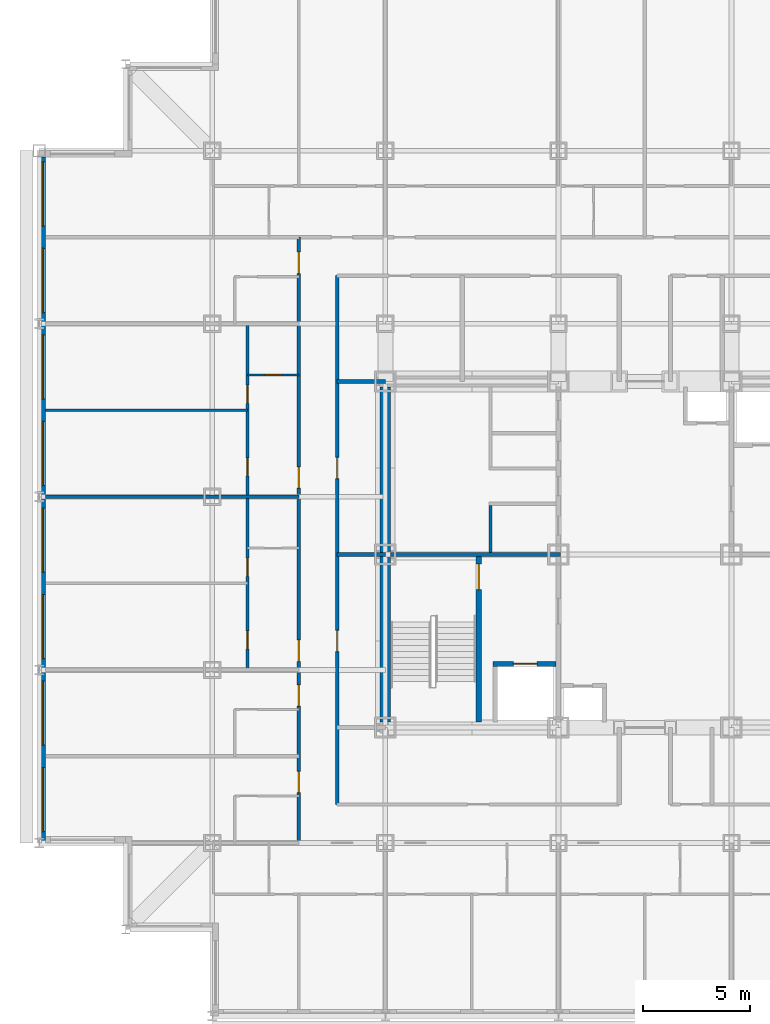
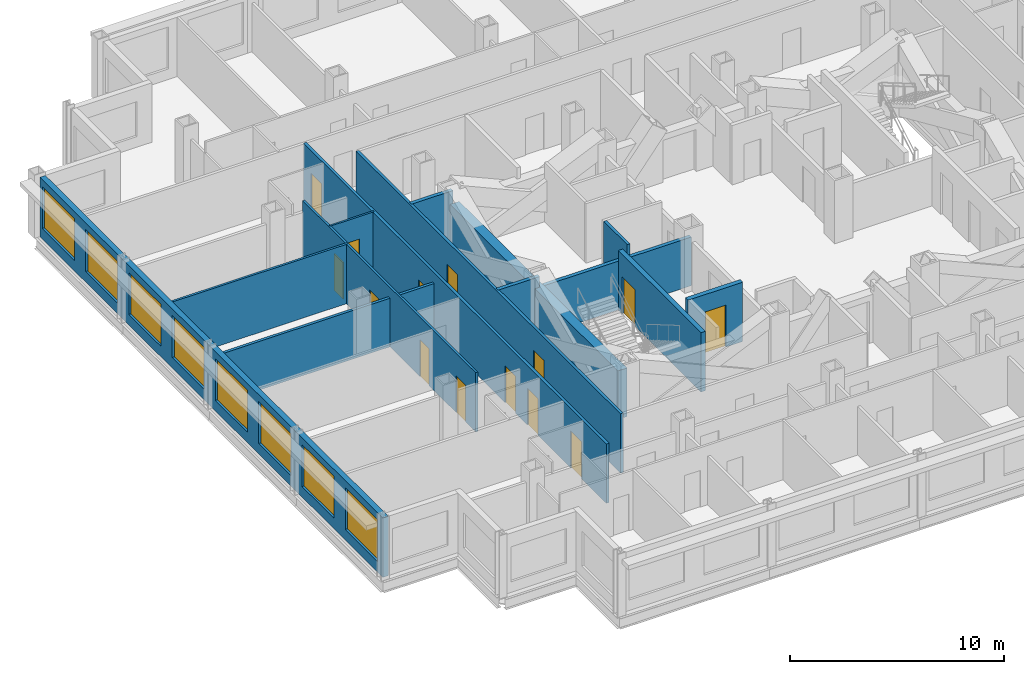
# One storey, part 6 of 12: 14 doors, 14 walls, 8 windows, 22 openings.
"""IFC4 building model written with IfcOpenShell, lengths in metres."""

from ifc_helpers import new_model, si_unit, direction, frame, frame_2d, origin, place, context, subcontext, project, spatial, rectangle, extrude, material, layer, layer_set, type_object, element, fill, save


model = new_model("IFC4")

# Units and contexts
model_context = context("Model", 3, precision=1e-05, world=origin(), true_north=direction((0.0, 1.0)))
body_context = subcontext(model_context, "Body", "Model", "MODEL_VIEW")
ifc_project = project(units=[si_unit("LENGTHUNIT", "METRE"), si_unit("AREAUNIT", "SQUARE_METRE"), si_unit("VOLUMEUNIT", "CUBIC_METRE"), si_unit("PLANEANGLEUNIT", "RADIAN"), si_unit("MASSUNIT", "GRAM", prefix="KILO")], contexts=[model_context])

# Site, building, storey
site_placement = place(None, origin())
site = spatial("IfcSite", under=ifc_project, at=site_placement, CompositionType="ELEMENT")
building_placement = place(site_placement, origin())
building = spatial("IfcBuilding", under=site, at=building_placement, Name="Kopane Lantern Tower", CompositionType="ELEMENT")
storey_placement = place(building_placement, frame((0.0, 0.0, 188.39990234375)))
storey = spatial("IfcBuildingStorey", under=building, at=storey_placement, Name="L48", CompositionType="ELEMENT", Elevation=188.39990234375)

# Wall, openings, doors
ifc_material_1 = material(Name="Gypsum board on steel studs", Category="steel")
ifc_layer_1 = layer(ifc_material_1, 0.1201171875)
ifc_layer_set_1 = layer_set([ifc_layer_1], Name="APARTMENT INTERNAL WALL 120")
wall_type_1 = type_object("IfcWallType", Name="APARTMENT INTERNAL WALL 120", PredefinedType="PARTITIONING", material=ifc_layer_set_1)
wall_1_placement = place(storey_placement, frame((9.75, 27.0, 0.0), z_axis=(0.0, 0.0, 1.0), x_axis=(0.0, 1.0, 0.0)))
wall_1 = element("IfcWall", 1, at=wall_1_placement, inside=storey, type_object=wall_type_1, Name="Apartment Internal Wall 120 L48", PredefinedType="PARTITIONING", context=body_context, shape_type="SweptSolid", body=[
    extrude(rectangle(XDim=16.199951171875, YDim=0.1201171875, at=frame_2d((8.10009765625, 0.0))), origin(), (0.0, 0.0, 1.0), 3.39013671875),
])
opening_1_placement = place(wall_1_placement, frame((0.97509765625, 0.0, 0.0)))
opening_1 = element("IfcOpeningElement", 2, at=opening_1_placement, cuts=wall_1, Name="Opening L48-038", PredefinedType="OPENING", context=body_context, shape_type="SweptSolid", body=[
    extrude(rectangle(XDim=0.85009765625, YDim=2.10009765625, at=frame_2d((0.425048828125, 1.050048828125))), frame((0.0, 0.070068359375, 0.0), z_axis=(0.0, -1.0, 0.0), x_axis=(1.0, 0.0, 0.0)), (0.0, 0.0, 1.0), 0.14013671875),
])
opening_2_placement = place(wall_1_placement, frame((4.375, 0.0, 0.0)))
opening_2 = element("IfcOpeningElement", 3, at=opening_2_placement, cuts=wall_1, Name="Opening L48-039", PredefinedType="OPENING", context=body_context, shape_type="SweptSolid", body=[
    extrude(rectangle(XDim=0.85009765625, YDim=2.10009765625, at=frame_2d((0.425048828125, 1.050048828125))), frame((0.0, 0.070068359375, 0.0), z_axis=(0.0, -1.0, 0.0), x_axis=(1.0, 0.0, 0.0)), (0.0, 0.0, 1.0), 0.14013671875),
])
opening_3_placement = place(wall_1_placement, frame((9.074951171875, 0.0, 0.0)))
opening_3 = element("IfcOpeningElement", 4, at=opening_3_placement, cuts=wall_1, Name="Opening L48-042", PredefinedType="OPENING", context=body_context, shape_type="SweptSolid", body=[
    extrude(rectangle(XDim=0.85009765625, YDim=2.10009765625, at=frame_2d((0.425048828125, 1.050048828125))), frame((0.0, 0.070068359375, 0.0), z_axis=(0.0, -1.0, 0.0), x_axis=(1.0, 0.0, 0.0)), (0.0, 0.0, 1.0), 0.14013671875),
])
opening_4_placement = place(wall_1_placement, frame((12.47509765625, 0.0, 0.0)))
opening_4 = element("IfcOpeningElement", 5, at=opening_4_placement, cuts=wall_1, Name="Opening L48-043", PredefinedType="OPENING", context=body_context, shape_type="SweptSolid", body=[
    extrude(rectangle(XDim=0.85009765625, YDim=2.10009765625, at=frame_2d((0.425048828125, 1.050048828125))), frame((0.0, 0.070068359375, 0.0), z_axis=(0.0, -1.0, 0.0), x_axis=(1.0, 0.0, 0.0)), (0.0, 0.0, 1.0), 0.14013671875),
])
ifc_material_2 = material(Name="Timber door set", Category="wood")
door_type_1 = type_object("IfcDoorType", Name="DOOR D4 850x2100", OperationType="SINGLE_SWING_LEFT", PredefinedType="DOOR", material=ifc_material_2)
door_1_placement = place(opening_1_placement, origin())
door_1 = element("IfcDoor", 6, at=door_1_placement, inside=storey, type_object=door_type_1, Name="Door L48-038", OperationType="SINGLE_SWING_RIGHT", OverallHeight=2.10009765625, OverallWidth=0.85009765625, PredefinedType="DOOR", context=body_context, shape_type="SweptSolid", body=[
    extrude(rectangle(XDim=0.85009765625, YDim=2.10009765625, at=frame_2d((0.425048828125, 1.050048828125))), frame((0.0, 0.02490234375, 0.0), z_axis=(0.0, -1.0, 0.0), x_axis=(1.0, 0.0, 0.0)), (0.0, 0.0, 1.0), 0.050048828125),
])
fill(opening_1, door_1)
door_2_placement = place(opening_2_placement, origin())
door_2 = element("IfcDoor", 7, at=door_2_placement, inside=storey, type_object=door_type_1, Name="Door L48-039", OperationType="SINGLE_SWING_LEFT", OverallHeight=2.10009765625, OverallWidth=0.85009765625, PredefinedType="DOOR", context=body_context, shape_type="SweptSolid", body=[
    extrude(rectangle(XDim=0.85009765625, YDim=2.10009765625, at=frame_2d((0.425048828125, 1.050048828125))), frame((0.0, 0.02490234375, 0.0), z_axis=(0.0, -1.0, 0.0), x_axis=(1.0, 0.0, 0.0)), (0.0, 0.0, 1.0), 0.050048828125),
])
fill(opening_2, door_2)
door_3_placement = place(opening_3_placement, origin())
door_3 = element("IfcDoor", 8, at=door_3_placement, inside=storey, type_object=door_type_1, Name="Door L48-042", OperationType="SINGLE_SWING_RIGHT", OverallHeight=2.10009765625, OverallWidth=0.85009765625, PredefinedType="DOOR", context=body_context, shape_type="SweptSolid", body=[
    extrude(rectangle(XDim=0.85009765625, YDim=2.10009765625, at=frame_2d((0.425048828125, 1.050048828125))), frame((0.0, 0.02490234375, 0.0), z_axis=(0.0, -1.0, 0.0), x_axis=(1.0, 0.0, 0.0)), (0.0, 0.0, 1.0), 0.050048828125),
])
fill(opening_3, door_3)
door_4_placement = place(opening_4_placement, origin())
door_4 = element("IfcDoor", 9, at=door_4_placement, inside=storey, type_object=door_type_1, Name="Door L48-043", OperationType="SINGLE_SWING_LEFT", OverallHeight=2.10009765625, OverallWidth=0.85009765625, PredefinedType="DOOR", context=body_context, shape_type="SweptSolid", body=[
    extrude(rectangle(XDim=0.85009765625, YDim=2.10009765625, at=frame_2d((0.425048828125, 1.050048828125))), frame((0.0, 0.02490234375, 0.0), z_axis=(0.0, -1.0, 0.0), x_axis=(1.0, 0.0, 0.0)), (0.0, 0.0, 1.0), 0.050048828125),
])
fill(opening_4, door_4)

# Wall
wall_2_placement = place(storey_placement, frame((9.75, 39.14990234375, 0.0), z_axis=(0.0, 0.0, 1.0), x_axis=(-1.0, 0.0, 0.0)))
element("IfcWall", 10, at=wall_2_placement, inside=storey, type_object=wall_type_1, Name="Apartment Internal Wall 120 L48", PredefinedType="PARTITIONING", context=body_context, shape_type="SweptSolid", body=[
    extrude(rectangle(XDim=9.449951171875, YDim=0.1201171875, at=frame_2d((4.72509765625, 0.0))), origin(), (0.0, 0.0, 1.0), 3.39013671875),
])

# Wall, opening, door
ifc_material_3 = material(Name="Moisture-resistant board on steel studs", Category="steel")
ifc_layer_2 = layer(ifc_material_3, 0.10009765625)
ifc_layer_set_2 = layer_set([ifc_layer_2], Name="BATHROOM WALL 100")
wall_type_2 = type_object("IfcWallType", Name="BATHROOM WALL 100", PredefinedType="PARTITIONING", material=ifc_layer_set_2)
wall_3_placement = place(storey_placement, frame((12.14990234375, 40.800048828125, 0.0), z_axis=(0.0, 0.0, 1.0), x_axis=(-1.0, 0.0, 0.0)))
wall_3 = element("IfcWall", 11, at=wall_3_placement, inside=storey, type_object=wall_type_2, Name="Bathroom Wall 100 L48", PredefinedType="PARTITIONING", context=body_context, shape_type="SweptSolid", body=[
    extrude(rectangle(XDim=2.39990234375, YDim=0.10009765625, at=frame_2d((1.199951171875, 0.0))), origin(), (0.0, 0.0, 1.0), 3.39013671875),
])
opening_5_placement = place(wall_3_placement, frame((0.800048828125, 0.0, 0.0)))
opening_5 = element("IfcOpeningElement", 12, at=opening_5_placement, cuts=wall_3, Name="Opening L48-040", PredefinedType="OPENING", context=body_context, shape_type="SweptSolid", body=[
    extrude(rectangle(XDim=0.800048828125, YDim=2.10009765625, at=frame_2d((0.39990234375, 1.050048828125))), frame((0.0, 0.06005859375, 0.0), z_axis=(0.0, -1.0, 0.0), x_axis=(1.0, 0.0, 0.0)), (0.0, 0.0, 1.0), 0.1201171875),
])
ifc_material_4 = material(Name="Timber door set", Category="wood")
door_type_2 = type_object("IfcDoorType", Name="DOOR D2 800x2100", OperationType="SINGLE_SWING_LEFT", PredefinedType="DOOR", material=ifc_material_4)
door_5_placement = place(opening_5_placement, origin())
door_5 = element("IfcDoor", 13, at=door_5_placement, inside=storey, type_object=door_type_2, Name="Door L48-040", OperationType="SINGLE_SWING_RIGHT", OverallHeight=2.10009765625, OverallWidth=0.800048828125, PredefinedType="DOOR", context=body_context, shape_type="SweptSolid", body=[
    extrude(rectangle(XDim=0.800048828125, YDim=2.10009765625, at=frame_2d((0.39990234375, 1.050048828125))), frame((0.0, 0.02490234375, 0.0), z_axis=(0.0, -1.0, 0.0), x_axis=(1.0, 0.0, 0.0)), (0.0, 0.0, 1.0), 0.050048828125),
])
fill(opening_5, door_5)

# Walls
ifc_material_5 = material(Name="Gypsum shaft wall EI 120", Category="gypsum")
ifc_layer_3 = layer(ifc_material_5, 0.5)
ifc_layer_set_3 = layer_set([ifc_layer_3], Name="CORE PERIMETER WALL 500 EI 120")
wall_type_3 = type_object("IfcWallType", Name="CORE PERIMETER WALL 500 EI 120", PredefinedType="SOLIDWALL", material=ifc_layer_set_3)
wall_4_placement = place(storey_placement, frame((16.199951171875, 24.550048828125, 0.0), z_axis=(0.0, 0.0, 1.0), x_axis=(0.0, 1.0, 0.0)))
element("IfcWall", 14, at=wall_4_placement, inside=storey, type_object=wall_type_3, Name="Core shaft wall L48 PW", PredefinedType="SOLIDWALL", context=body_context, shape_type="SweptSolid", body=[
    extrude(rectangle(XDim=15.699951171875, YDim=0.5, at=frame_2d((7.85009765625, 0.0))), origin(), (0.0, 0.0, 1.0), 2.77783203125),
])
ifc_material_6 = material(Name="Gypsum partition EI 60", Category="gypsum")
ifc_layer_4 = layer(ifc_material_6, 0.14990234375)
ifc_layer_set_4 = layer_set([ifc_layer_4], Name="CORE ROOM PARTITION 150 EI 60")
wall_type_4 = type_object("IfcWallType", Name="CORE ROOM PARTITION 150 EI 60", PredefinedType="PARTITIONING", material=ifc_layer_set_4)
wall_5_placement = place(storey_placement, frame((21.125, 32.5, 0.0), z_axis=(0.0, 0.0, 1.0), x_axis=(0.0, 1.0, 0.0)))
element("IfcWall", 15, at=wall_5_placement, inside=storey, type_object=wall_type_4, Name="Core room partition L48 WWB0", PredefinedType="PARTITIONING", context=body_context, shape_type="SweptSolid", body=[
    extrude(rectangle(XDim=2.199951171875, YDim=0.14990234375, at=frame_2d((1.10009765625, 0.0))), origin(), (0.0, 0.0, 1.0), 3.39013671875),
])

# Wall, opening, door
ifc_material_7 = material(Name="Gypsum shaft wall EI 120", Category="gypsum")
ifc_layer_5 = layer(ifc_material_7, 0.25)
ifc_layer_set_5 = layer_set([ifc_layer_5], Name="CORE SHAFT WALL 250 EI 120")
wall_type_5 = type_object("IfcWallType", Name="CORE SHAFT WALL 250 EI 120", PredefinedType="SOLIDWALL", material=ifc_layer_set_5)
wall_6_placement = place(storey_placement, frame((20.574951171875, 24.550048828125, 0.0), z_axis=(0.0, 0.0, 1.0), x_axis=(0.0, 1.0, 0.0)))
wall_6 = element("IfcWall", 16, at=wall_6_placement, inside=storey, type_object=wall_type_5, Name="Core shaft wall L48 XST1", PredefinedType="SOLIDWALL", context=body_context, shape_type="SweptSolid", body=[
    extrude(rectangle(XDim=7.75, YDim=0.25, at=frame_2d((3.875, 0.0))), origin(), (0.0, 0.0, 1.0), 3.39013671875),
])
opening_6_placement = place(wall_6_placement, frame((6.199951171875, 0.0, 0.0)))
opening_6 = element("IfcOpeningElement", 17, at=opening_6_placement, cuts=wall_6, Name="Opening 48.SD1", PredefinedType="OPENING", context=body_context, shape_type="SweptSolid", body=[
    extrude(rectangle(XDim=1.199951171875, YDim=2.10009765625, at=frame_2d((0.60009765625, 1.050048828125))), frame((0.0, 0.135009765625, 0.0), z_axis=(0.0, -1.0, 0.0), x_axis=(1.0, 0.0, 0.0)), (0.0, 0.0, 1.0), 0.27001953125),
])
ifc_material_8 = material(Name="Steel door set", Category="steel")
door_type_3 = type_object("IfcDoorType", Name="STAIR DOOR 1200x2100 FD60S", OperationType="SINGLE_SWING_LEFT", PredefinedType="DOOR", material=ifc_material_8)
door_6_placement = place(opening_6_placement, origin())
door_6 = element("IfcDoor", 18, at=door_6_placement, inside=storey, type_object=door_type_3, Name="Stair door ST1 L48", OperationType="SINGLE_SWING_LEFT", OverallHeight=2.10009765625, OverallWidth=1.199951171875, PredefinedType="DOOR", context=body_context, shape_type="SweptSolid", body=[
    extrude(rectangle(XDim=1.199951171875, YDim=2.10009765625, at=frame_2d((0.60009765625, 1.050048828125))), frame((0.0, 0.02490234375, 0.0), z_axis=(0.0, -1.0, 0.0), x_axis=(1.0, 0.0, 0.0)), (0.0, 0.0, 1.0), 0.050048828125),
])
fill(opening_6, door_6)

wall_7_placement = place(storey_placement, frame((21.25, 27.27490234375, 0.0), z_axis=(0.0, 0.0, 1.0), x_axis=(1.0, 0.0, 0.0)))
wall_7 = element("IfcWall", 19, at=wall_7_placement, inside=storey, type_object=wall_type_5, Name="Core shaft wall L48 YLF1", PredefinedType="SOLIDWALL", context=body_context, shape_type="SweptSolid", body=[
    extrude(rectangle(XDim=2.949951171875, YDim=0.25, at=frame_2d((1.47509765625, 0.0))), origin(), (0.0, 0.0, 1.0), 3.39013671875),
])
opening_7_placement = place(wall_7_placement, frame((0.949951171875, 0.0, 0.0)))
opening_7 = element("IfcOpeningElement", 20, at=opening_7_placement, cuts=wall_7, Name="Opening 48.LD-LF1", PredefinedType="OPENING", context=body_context, shape_type="SweptSolid", body=[
    extrude(rectangle(XDim=1.10009765625, YDim=2.39990234375, at=frame_2d((0.550048828125, 1.199951171875))), frame((0.0, 0.135009765625, 0.0), z_axis=(0.0, -1.0, 0.0), x_axis=(1.0, 0.0, 0.0)), (0.0, 0.0, 1.0), 0.27001953125),
])
ifc_material_9 = material(Name="Steel door set", Category="steel")
door_type_4 = type_object("IfcDoorType", Name="LIFT LANDING DOOR 1100x2400 FD60", OperationType="DOUBLE_DOOR_SLIDING", PredefinedType="DOOR", material=ifc_material_9)
door_7_placement = place(opening_7_placement, origin())
door_7 = element("IfcDoor", 21, at=door_7_placement, inside=storey, type_object=door_type_4, Name="Landing door LF1 L48", OperationType="DOUBLE_DOOR_SLIDING", OverallHeight=2.39990234375, OverallWidth=1.10009765625, PredefinedType="DOOR", context=body_context, shape_type="SweptSolid", body=[
    extrude(rectangle(XDim=1.10009765625, YDim=2.39990234375, at=frame_2d((0.550048828125, 1.199951171875))), frame((0.0, 0.02490234375, 0.0), z_axis=(0.0, -1.0, 0.0), x_axis=(1.0, 0.0, 0.0)), (0.0, 0.0, 1.0), 0.050048828125),
])
fill(opening_7, door_7)

# Wall, openings, doors
ifc_material_10 = material(Name="Gypsum board on steel studs", Category="steel")
ifc_layer_6 = layer(ifc_material_10, 0.14990234375)
ifc_layer_set_6 = layer_set([ifc_layer_6], Name="CORRIDOR WALL 150 EI 60")
wall_type_6 = type_object("IfcWallType", Name="CORRIDOR WALL 150 EI 60", PredefinedType="PARTITIONING", material=ifc_layer_set_6)
wall_8_placement = place(storey_placement, frame((12.14990234375, 18.89990234375, 0.0), z_axis=(0.0, 0.0, 1.0), x_axis=(0.0, 1.0, 0.0)))
wall_8 = element("IfcWall", 22, at=wall_8_placement, inside=storey, type_object=wall_type_6, Name="Corridor Wall 150 Ei 60 L48", PredefinedType="PARTITIONING", context=body_context, shape_type="SweptSolid", body=[
    extrude(rectangle(XDim=28.35009765625, YDim=0.14990234375, at=frame_2d((14.175048828125, 0.0))), origin(), (0.0, 0.0, 1.0), 3.39013671875),
])
opening_8_placement = place(wall_8_placement, frame((2.35009765625, 0.0, 0.0)))
opening_8 = element("IfcOpeningElement", 23, at=opening_8_placement, cuts=wall_8, Name="Opening L48-033", PredefinedType="OPENING", context=body_context, shape_type="SweptSolid", body=[
    extrude(rectangle(XDim=1.0, YDim=2.10009765625, at=frame_2d((0.5, 1.050048828125))), frame((0.0, 0.0849609375, 0.0), z_axis=(0.0, -1.0, 0.0), x_axis=(1.0, 0.0, 0.0)), (0.0, 0.0, 1.0), 0.169921875),
])
opening_9_placement = place(wall_8_placement, frame((6.39990234375, 0.0, 0.0)))
opening_9 = element("IfcOpeningElement", 24, at=opening_9_placement, cuts=wall_8, Name="Opening L48-035", PredefinedType="OPENING", context=body_context, shape_type="SweptSolid", body=[
    extrude(rectangle(XDim=1.0, YDim=2.10009765625, at=frame_2d((0.5, 1.050048828125))), frame((0.0, 0.0849609375, 0.0), z_axis=(0.0, -1.0, 0.0), x_axis=(1.0, 0.0, 0.0)), (0.0, 0.0, 1.0), 0.169921875),
])
opening_10_placement = place(wall_8_placement, frame((8.5, 0.0, 0.0)))
opening_10 = element("IfcOpeningElement", 25, at=opening_10_placement, cuts=wall_8, Name="Opening L48-037", PredefinedType="OPENING", context=body_context, shape_type="SweptSolid", body=[
    extrude(rectangle(XDim=1.0, YDim=2.10009765625, at=frame_2d((0.5, 1.050048828125))), frame((0.0, 0.0849609375, 0.0), z_axis=(0.0, -1.0, 0.0), x_axis=(1.0, 0.0, 0.0)), (0.0, 0.0, 1.0), 0.169921875),
])
opening_11_placement = place(wall_8_placement, frame((16.60009765625, 0.0, 0.0)))
opening_11 = element("IfcOpeningElement", 26, at=opening_11_placement, cuts=wall_8, Name="Opening L48-041", PredefinedType="OPENING", context=body_context, shape_type="SweptSolid", body=[
    extrude(rectangle(XDim=1.0, YDim=2.10009765625, at=frame_2d((0.5, 1.050048828125))), frame((0.0, 0.0849609375, 0.0), z_axis=(0.0, -1.0, 0.0), x_axis=(1.0, 0.0, 0.0)), (0.0, 0.0, 1.0), 0.169921875),
])
opening_12_placement = place(wall_8_placement, frame((26.64990234375, 0.0, 0.0)))
opening_12 = element("IfcOpeningElement", 27, at=opening_12_placement, cuts=wall_8, Name="Opening L48-045", PredefinedType="OPENING", context=body_context, shape_type="SweptSolid", body=[
    extrude(rectangle(XDim=1.0, YDim=2.10009765625, at=frame_2d((0.5, 1.050048828125))), frame((0.0, 0.0849609375, 0.0), z_axis=(0.0, -1.0, 0.0), x_axis=(1.0, 0.0, 0.0)), (0.0, 0.0, 1.0), 0.169921875),
])
ifc_material_11 = material(Name="Steel door set", Category="steel")
door_type_5 = type_object("IfcDoorType", Name="DOOR D3 1000x2100 FD30S", OperationType="SINGLE_SWING_LEFT", PredefinedType="DOOR", material=ifc_material_11)
door_8_placement = place(opening_8_placement, origin())
door_8 = element("IfcDoor", 28, at=door_8_placement, inside=storey, type_object=door_type_5, Name="Door L48-033", OperationType="SINGLE_SWING_LEFT", OverallHeight=2.10009765625, OverallWidth=1.0, PredefinedType="DOOR", context=body_context, shape_type="SweptSolid", body=[
    extrude(rectangle(XDim=1.0, YDim=2.10009765625, at=frame_2d((0.5, 1.050048828125))), frame((0.0, 0.02490234375, 0.0), z_axis=(0.0, -1.0, 0.0), x_axis=(1.0, 0.0, 0.0)), (0.0, 0.0, 1.0), 0.050048828125),
])
fill(opening_8, door_8)
door_9_placement = place(opening_9_placement, origin())
door_9 = element("IfcDoor", 29, at=door_9_placement, inside=storey, type_object=door_type_5, Name="Door L48-035", OperationType="SINGLE_SWING_LEFT", OverallHeight=2.10009765625, OverallWidth=1.0, PredefinedType="DOOR", context=body_context, shape_type="SweptSolid", body=[
    extrude(rectangle(XDim=1.0, YDim=2.10009765625, at=frame_2d((0.5, 1.050048828125))), frame((0.0, 0.02490234375, 0.0), z_axis=(0.0, -1.0, 0.0), x_axis=(1.0, 0.0, 0.0)), (0.0, 0.0, 1.0), 0.050048828125),
])
fill(opening_9, door_9)
door_10_placement = place(opening_10_placement, origin())
door_10 = element("IfcDoor", 30, at=door_10_placement, inside=storey, type_object=door_type_5, Name="Door L48-037", OperationType="SINGLE_SWING_LEFT", OverallHeight=2.10009765625, OverallWidth=1.0, PredefinedType="DOOR", context=body_context, shape_type="SweptSolid", body=[
    extrude(rectangle(XDim=1.0, YDim=2.10009765625, at=frame_2d((0.5, 1.050048828125))), frame((0.0, 0.02490234375, 0.0), z_axis=(0.0, -1.0, 0.0), x_axis=(1.0, 0.0, 0.0)), (0.0, 0.0, 1.0), 0.050048828125),
])
fill(opening_10, door_10)
door_11_placement = place(opening_11_placement, origin())
door_11 = element("IfcDoor", 31, at=door_11_placement, inside=storey, type_object=door_type_5, Name="Door L48-041", OperationType="SINGLE_SWING_LEFT", OverallHeight=2.10009765625, OverallWidth=1.0, PredefinedType="DOOR", context=body_context, shape_type="SweptSolid", body=[
    extrude(rectangle(XDim=1.0, YDim=2.10009765625, at=frame_2d((0.5, 1.050048828125))), frame((0.0, 0.02490234375, 0.0), z_axis=(0.0, -1.0, 0.0), x_axis=(1.0, 0.0, 0.0)), (0.0, 0.0, 1.0), 0.050048828125),
])
fill(opening_11, door_11)
door_12_placement = place(opening_12_placement, origin())
door_12 = element("IfcDoor", 32, at=door_12_placement, inside=storey, type_object=door_type_5, Name="Door L48-045", OperationType="SINGLE_SWING_LEFT", OverallHeight=2.10009765625, OverallWidth=1.0, PredefinedType="DOOR", context=body_context, shape_type="SweptSolid", body=[
    extrude(rectangle(XDim=1.0, YDim=2.10009765625, at=frame_2d((0.5, 1.050048828125))), frame((0.0, 0.02490234375, 0.0), z_axis=(0.0, -1.0, 0.0), x_axis=(1.0, 0.0, 0.0)), (0.0, 0.0, 1.0), 0.050048828125),
])
fill(opening_12, door_12)

wall_9_placement = place(storey_placement, frame((13.949951171875, 45.449951171875, 0.0), z_axis=(0.0, 0.0, 1.0), x_axis=(0.0, -1.0, 0.0)))
wall_9 = element("IfcWall", 33, at=wall_9_placement, inside=storey, type_object=wall_type_6, Name="Corridor Wall 150 Ei 60 L48", PredefinedType="PARTITIONING", context=body_context, shape_type="SweptSolid", body=[
    extrude(rectangle(XDim=24.75, YDim=0.14990234375, at=frame_2d((12.375, 0.0))), origin(), (0.0, 0.0, 1.0), 3.39013671875),
])
opening_13_placement = place(wall_9_placement, frame((16.60009765625, 0.0, 0.0)))
opening_13 = element("IfcOpeningElement", 34, at=opening_13_placement, cuts=wall_9, Name="Opening L48-001", PredefinedType="OPENING", context=body_context, shape_type="SweptSolid", body=[
    extrude(rectangle(XDim=1.0, YDim=2.10009765625, at=frame_2d((0.5, 1.050048828125))), frame((0.0, 0.0849609375, 0.0), z_axis=(0.0, -1.0, 0.0), x_axis=(1.0, 0.0, 0.0)), (0.0, 0.0, 1.0), 0.169921875),
])
opening_14_placement = place(wall_9_placement, frame((8.5, 0.0, 0.0)))
opening_14 = element("IfcOpeningElement", 35, at=opening_14_placement, cuts=wall_9, Name="Opening L48-002", PredefinedType="OPENING", context=body_context, shape_type="SweptSolid", body=[
    extrude(rectangle(XDim=1.0, YDim=2.10009765625, at=frame_2d((0.5, 1.050048828125))), frame((0.0, 0.0849609375, 0.0), z_axis=(0.0, -1.0, 0.0), x_axis=(1.0, 0.0, 0.0)), (0.0, 0.0, 1.0), 0.169921875),
])
ifc_material_12 = material(Name="Steel door set", Category="steel")
door_type_6 = type_object("IfcDoorType", Name="DOOR D5 1000x2100 FD60", OperationType="SINGLE_SWING_LEFT", PredefinedType="DOOR", material=ifc_material_12)
door_13_placement = place(opening_13_placement, origin())
door_13 = element("IfcDoor", 36, at=door_13_placement, inside=storey, type_object=door_type_6, Name="Door L48-001", OperationType="SINGLE_SWING_RIGHT", OverallHeight=2.10009765625, OverallWidth=1.0, PredefinedType="DOOR", context=body_context, shape_type="SweptSolid", body=[
    extrude(rectangle(XDim=1.0, YDim=2.10009765625, at=frame_2d((0.5, 1.050048828125))), frame((0.0, 0.02490234375, 0.0), z_axis=(0.0, -1.0, 0.0), x_axis=(1.0, 0.0, 0.0)), (0.0, 0.0, 1.0), 0.050048828125),
])
fill(opening_13, door_13)
door_14_placement = place(opening_14_placement, origin())
door_14 = element("IfcDoor", 37, at=door_14_placement, inside=storey, type_object=door_type_6, Name="Door L48-002", OperationType="SINGLE_SWING_LEFT", OverallHeight=2.10009765625, OverallWidth=1.0, PredefinedType="DOOR", context=body_context, shape_type="SweptSolid", body=[
    extrude(rectangle(XDim=1.0, YDim=2.10009765625, at=frame_2d((0.5, 1.050048828125))), frame((0.0, 0.02490234375, 0.0), z_axis=(0.0, -1.0, 0.0), x_axis=(1.0, 0.0, 0.0)), (0.0, 0.0, 1.0), 0.050048828125),
])
fill(opening_14, door_14)

# Wall
ifc_material_13 = material(Name="Gypsum board on steel studs", Category="steel")
ifc_layer_7 = layer(ifc_material_13, 0.14990234375)
ifc_layer_set_7 = layer_set([ifc_layer_7], Name="DEMISING WALL 150 EI 60")
wall_type_7 = type_object("IfcWallType", Name="DEMISING WALL 150 EI 60", PredefinedType="PARTITIONING", material=ifc_layer_set_7)
wall_10_placement = place(storey_placement, frame((12.14990234375, 35.10009765625, 0.0), z_axis=(0.0, 0.0, 1.0), x_axis=(-1.0, 0.0, 0.0)))
element("IfcWall", 38, at=wall_10_placement, inside=storey, type_object=wall_type_7, Name="Demising Wall 150 Ei 60 L48", PredefinedType="PARTITIONING", context=body_context, shape_type="SweptSolid", body=[
    extrude(rectangle(XDim=11.849853515625, YDim=0.14990234375, at=frame_2d((5.9248046875, 0.0))), origin(), (0.0, 0.0, 1.0), 2.77783203125),
])

# Wall, openings, windows
ifc_material_14 = material(Name="Terracotta rainscreen on light steel framing", Category="masonry")
ifc_layer_8 = layer(ifc_material_14, 0.300048828125)
ifc_layer_set_8 = layer_set([ifc_layer_8], Name="EXTERNAL WALL EW1 300 TERRACOTTA")
wall_type_8 = type_object("IfcWallType", Name="EXTERNAL WALL EW1 300 TERRACOTTA", PredefinedType="SOLIDWALL", material=ifc_layer_set_8)
wall_11_placement = place(storey_placement, frame((0.14990234375, 51.0, 0.0), z_axis=(0.0, 0.0, 1.0), x_axis=(0.0, -1.0, 0.0)))
wall_11 = element("IfcWall", 39, at=wall_11_placement, inside=storey, type_object=wall_type_8, Name="External wall W L48", PredefinedType="SOLIDWALL", context=body_context, shape_type="SweptSolid", body=[
    extrude(rectangle(XDim=32.10009765625, YDim=0.300048828125, at=frame_2d((16.050048828125, 0.0))), origin(), (0.0, 0.0, 1.0), 3.39013671875),
])
opening_15_placement = place(wall_11_placement, frame((0.22509765625, 0.0, 0.60009765625)))
opening_15 = element("IfcOpeningElement", 40, at=opening_15_placement, cuts=wall_11, Name="Opening WR300240", PredefinedType="OPENING", context=body_context, shape_type="SweptSolid", body=[
    extrude(rectangle(XDim=3.0, YDim=2.39990234375, at=frame_2d((1.5, 1.199951171875))), frame((0.0, 0.159912109375, 0.0), z_axis=(0.0, -1.0, 0.0), x_axis=(1.0, 0.0, 0.0)), (0.0, 0.0, 1.0), 0.320068359375),
])
opening_16_placement = place(wall_11_placement, frame((4.27490234375, 0.0, 0.60009765625)))
opening_16 = element("IfcOpeningElement", 41, at=opening_16_placement, cuts=wall_11, Name="Opening WR300240", PredefinedType="OPENING", context=body_context, shape_type="SweptSolid", body=[
    extrude(rectangle(XDim=3.0, YDim=2.39990234375, at=frame_2d((1.5, 1.199951171875))), frame((0.0, 0.159912109375, 0.0), z_axis=(0.0, -1.0, 0.0), x_axis=(1.0, 0.0, 0.0)), (0.0, 0.0, 1.0), 0.320068359375),
])
opening_17_placement = place(wall_11_placement, frame((8.324951171875, 0.0, 0.60009765625)))
opening_17 = element("IfcOpeningElement", 42, at=opening_17_placement, cuts=wall_11, Name="Opening WR300240", PredefinedType="OPENING", context=body_context, shape_type="SweptSolid", body=[
    extrude(rectangle(XDim=3.0, YDim=2.39990234375, at=frame_2d((1.5, 1.199951171875))), frame((0.0, 0.159912109375, 0.0), z_axis=(0.0, -1.0, 0.0), x_axis=(1.0, 0.0, 0.0)), (0.0, 0.0, 1.0), 0.320068359375),
])
opening_18_placement = place(wall_11_placement, frame((12.375, 0.0, 0.60009765625)))
opening_18 = element("IfcOpeningElement", 43, at=opening_18_placement, cuts=wall_11, Name="Opening WR300240", PredefinedType="OPENING", context=body_context, shape_type="SweptSolid", body=[
    extrude(rectangle(XDim=3.0, YDim=2.39990234375, at=frame_2d((1.5, 1.199951171875))), frame((0.0, 0.159912109375, 0.0), z_axis=(0.0, -1.0, 0.0), x_axis=(1.0, 0.0, 0.0)), (0.0, 0.0, 1.0), 0.320068359375),
])
opening_19_placement = place(wall_11_placement, frame((16.425048828125, 0.0, 0.60009765625)))
opening_19 = element("IfcOpeningElement", 44, at=opening_19_placement, cuts=wall_11, Name="Opening WR300240", PredefinedType="OPENING", context=body_context, shape_type="SweptSolid", body=[
    extrude(rectangle(XDim=3.0, YDim=2.39990234375, at=frame_2d((1.5, 1.199951171875))), frame((0.0, 0.159912109375, 0.0), z_axis=(0.0, -1.0, 0.0), x_axis=(1.0, 0.0, 0.0)), (0.0, 0.0, 1.0), 0.320068359375),
])
opening_20_placement = place(wall_11_placement, frame((20.47509765625, 0.0, 0.60009765625)))
opening_20 = element("IfcOpeningElement", 45, at=opening_20_placement, cuts=wall_11, Name="Opening WR300240", PredefinedType="OPENING", context=body_context, shape_type="SweptSolid", body=[
    extrude(rectangle(XDim=3.0, YDim=2.39990234375, at=frame_2d((1.5, 1.199951171875))), frame((0.0, 0.159912109375, 0.0), z_axis=(0.0, -1.0, 0.0), x_axis=(1.0, 0.0, 0.0)), (0.0, 0.0, 1.0), 0.320068359375),
])
opening_21_placement = place(wall_11_placement, frame((24.52490234375, 0.0, 0.60009765625)))
opening_21 = element("IfcOpeningElement", 46, at=opening_21_placement, cuts=wall_11, Name="Opening WR300240", PredefinedType="OPENING", context=body_context, shape_type="SweptSolid", body=[
    extrude(rectangle(XDim=3.0, YDim=2.39990234375, at=frame_2d((1.5, 1.199951171875))), frame((0.0, 0.159912109375, 0.0), z_axis=(0.0, -1.0, 0.0), x_axis=(1.0, 0.0, 0.0)), (0.0, 0.0, 1.0), 0.320068359375),
])
opening_22_placement = place(wall_11_placement, frame((28.574951171875, 0.0, 0.60009765625)))
opening_22 = element("IfcOpeningElement", 47, at=opening_22_placement, cuts=wall_11, Name="Opening WR300240", PredefinedType="OPENING", context=body_context, shape_type="SweptSolid", body=[
    extrude(rectangle(XDim=3.0, YDim=2.39990234375, at=frame_2d((1.5, 1.199951171875))), frame((0.0, 0.159912109375, 0.0), z_axis=(0.0, -1.0, 0.0), x_axis=(1.0, 0.0, 0.0)), (0.0, 0.0, 1.0), 0.320068359375),
])
ifc_material_15 = material(Name="Aluminium and clear glass", Category="aluminium")
window_type = type_object("IfcWindowType", Name="RIBBON WINDOW WR300240 3000x2400", PartitioningType="SINGLE_PANEL", PredefinedType="WINDOW", material=ifc_material_15)
window_1_placement = place(opening_15_placement, origin())
window_1 = element("IfcWindow", 48, at=window_1_placement, inside=storey, type_object=window_type, Name="Window W L48", OverallHeight=2.39990234375, OverallWidth=3.0, PartitioningType="SINGLE_PANEL", PredefinedType="WINDOW", context=body_context, shape_type="SweptSolid", body=[
    extrude(rectangle(XDim=3.0, YDim=2.39990234375, at=frame_2d((1.5, 1.199951171875))), frame((0.0, 0.030029296875, 0.0), z_axis=(0.0, -1.0, 0.0), x_axis=(1.0, 0.0, 0.0)), (0.0, 0.0, 1.0), 0.06005859375),
])
fill(opening_15, window_1)
window_2_placement = place(opening_16_placement, origin())
window_2 = element("IfcWindow", 49, at=window_2_placement, inside=storey, type_object=window_type, Name="Window W L48", OverallHeight=2.39990234375, OverallWidth=3.0, PartitioningType="SINGLE_PANEL", PredefinedType="WINDOW", context=body_context, shape_type="SweptSolid", body=[
    extrude(rectangle(XDim=3.0, YDim=2.39990234375, at=frame_2d((1.5, 1.199951171875))), frame((0.0, 0.030029296875, 0.0), z_axis=(0.0, -1.0, 0.0), x_axis=(1.0, 0.0, 0.0)), (0.0, 0.0, 1.0), 0.06005859375),
])
fill(opening_16, window_2)
window_3_placement = place(opening_17_placement, origin())
window_3 = element("IfcWindow", 50, at=window_3_placement, inside=storey, type_object=window_type, Name="Window W L48", OverallHeight=2.39990234375, OverallWidth=3.0, PartitioningType="SINGLE_PANEL", PredefinedType="WINDOW", context=body_context, shape_type="SweptSolid", body=[
    extrude(rectangle(XDim=3.0, YDim=2.39990234375, at=frame_2d((1.5, 1.199951171875))), frame((0.0, 0.030029296875, 0.0), z_axis=(0.0, -1.0, 0.0), x_axis=(1.0, 0.0, 0.0)), (0.0, 0.0, 1.0), 0.06005859375),
])
fill(opening_17, window_3)
window_4_placement = place(opening_18_placement, origin())
window_4 = element("IfcWindow", 51, at=window_4_placement, inside=storey, type_object=window_type, Name="Window W L48", OverallHeight=2.39990234375, OverallWidth=3.0, PartitioningType="SINGLE_PANEL", PredefinedType="WINDOW", context=body_context, shape_type="SweptSolid", body=[
    extrude(rectangle(XDim=3.0, YDim=2.39990234375, at=frame_2d((1.5, 1.199951171875))), frame((0.0, 0.030029296875, 0.0), z_axis=(0.0, -1.0, 0.0), x_axis=(1.0, 0.0, 0.0)), (0.0, 0.0, 1.0), 0.06005859375),
])
fill(opening_18, window_4)
window_5_placement = place(opening_19_placement, origin())
window_5 = element("IfcWindow", 52, at=window_5_placement, inside=storey, type_object=window_type, Name="Window W L48", OverallHeight=2.39990234375, OverallWidth=3.0, PartitioningType="SINGLE_PANEL", PredefinedType="WINDOW", context=body_context, shape_type="SweptSolid", body=[
    extrude(rectangle(XDim=3.0, YDim=2.39990234375, at=frame_2d((1.5, 1.199951171875))), frame((0.0, 0.030029296875, 0.0), z_axis=(0.0, -1.0, 0.0), x_axis=(1.0, 0.0, 0.0)), (0.0, 0.0, 1.0), 0.06005859375),
])
fill(opening_19, window_5)
window_6_placement = place(opening_20_placement, origin())
window_6 = element("IfcWindow", 53, at=window_6_placement, inside=storey, type_object=window_type, Name="Window W L48", OverallHeight=2.39990234375, OverallWidth=3.0, PartitioningType="SINGLE_PANEL", PredefinedType="WINDOW", context=body_context, shape_type="SweptSolid", body=[
    extrude(rectangle(XDim=3.0, YDim=2.39990234375, at=frame_2d((1.5, 1.199951171875))), frame((0.0, 0.030029296875, 0.0), z_axis=(0.0, -1.0, 0.0), x_axis=(1.0, 0.0, 0.0)), (0.0, 0.0, 1.0), 0.06005859375),
])
fill(opening_20, window_6)
window_7_placement = place(opening_21_placement, origin())
window_7 = element("IfcWindow", 54, at=window_7_placement, inside=storey, type_object=window_type, Name="Window W L48", OverallHeight=2.39990234375, OverallWidth=3.0, PartitioningType="SINGLE_PANEL", PredefinedType="WINDOW", context=body_context, shape_type="SweptSolid", body=[
    extrude(rectangle(XDim=3.0, YDim=2.39990234375, at=frame_2d((1.5, 1.199951171875))), frame((0.0, 0.030029296875, 0.0), z_axis=(0.0, -1.0, 0.0), x_axis=(1.0, 0.0, 0.0)), (0.0, 0.0, 1.0), 0.06005859375),
])
fill(opening_21, window_7)
window_8_placement = place(opening_22_placement, origin())
window_8 = element("IfcWindow", 55, at=window_8_placement, inside=storey, type_object=window_type, Name="Window W L48", OverallHeight=2.39990234375, OverallWidth=3.0, PartitioningType="SINGLE_PANEL", PredefinedType="WINDOW", context=body_context, shape_type="SweptSolid", body=[
    extrude(rectangle(XDim=3.0, YDim=2.39990234375, at=frame_2d((1.5, 1.199951171875))), frame((0.0, 0.030029296875, 0.0), z_axis=(0.0, -1.0, 0.0), x_axis=(1.0, 0.0, 0.0)), (0.0, 0.0, 1.0), 0.06005859375),
])
fill(opening_22, window_8)

# Walls
ifc_material_16 = material(Name="Concrete masonry", Category="masonry")
ifc_layer_9 = layer(ifc_material_16, 0.199951171875)
ifc_layer_set_9 = layer_set([ifc_layer_9], Name="PLANT ROOM WALL 200 EI 120")
wall_type_9 = type_object("IfcWallType", Name="PLANT ROOM WALL 200 EI 120", PredefinedType="SOLIDWALL", material=ifc_layer_set_9)
for number, where, z_axis, x_axis, name in (
    (56, (13.949951171875, 32.39990234375, 0.0), (0.0, 0.0, 1.0), (1.0, 0.0, 0.0), "Plant Room Wall 200 Ei 120 L48"),
    (57, (13.949951171875, 40.5, 0.0), (0.0, 0.0, 1.0), (1.0, 0.0, 0.0), "Plant Room Wall 200 Ei 120 L48"),
):
    element("IfcWall", number, at=place(storey_placement, frame(where, z_axis=z_axis, x_axis=x_axis)), inside=storey, type_object=wall_type_9, Name=name, PredefinedType="SOLIDWALL", context=body_context, shape_type="SweptSolid", body=[
        extrude(rectangle(XDim=2.25, YDim=0.199951171875, at=frame_2d((1.125, 0.0))), origin(), (0.0, 0.0, 1.0), 3.39013671875),
    ])
ifc_material_17 = material(Name="Gypsum shaft wall EI 120", Category="gypsum")
ifc_layer_10 = layer(ifc_material_17, 0.199951171875)
ifc_layer_set_10 = layer_set([ifc_layer_10], Name="SHAFT WALL 200 EI 120")
wall_type_10 = type_object("IfcWallType", Name="SHAFT WALL 200 EI 120", PredefinedType="SOLIDWALL", material=ifc_layer_set_10)
wall_12_placement = place(storey_placement, frame((16.449951171875, 32.39990234375, 0.0), z_axis=(0.0, 0.0, 1.0), x_axis=(1.0, 0.0, 0.0)))
element("IfcWall", 58, at=wall_12_placement, inside=storey, type_object=wall_type_10, Name="Core shaft wall L48 Y324W", PredefinedType="SOLIDWALL", context=body_context, shape_type="SweptSolid", body=[
    extrude(rectangle(XDim=7.949951171875, YDim=0.199951171875, at=frame_2d((3.97509765625, 0.0))), origin(), (0.0, 0.0, 1.0), 2.77783203125),
])

save(model, "model.ifc")
